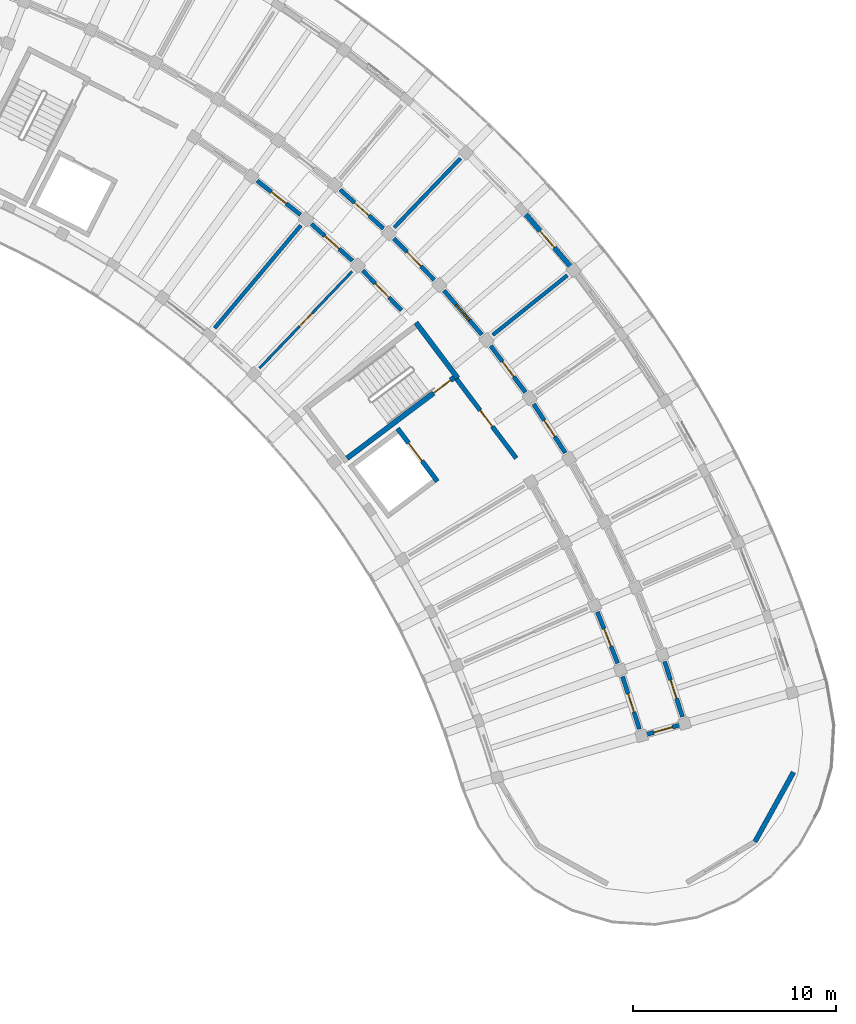
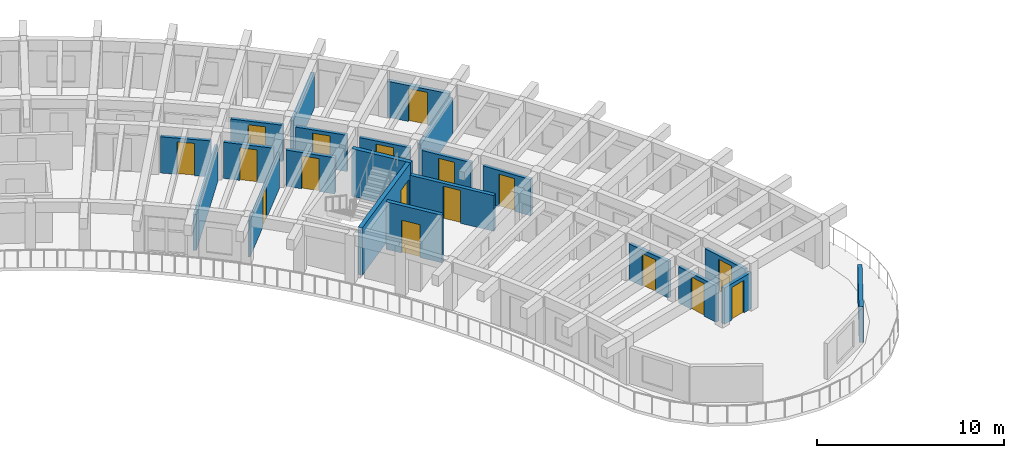
# One storey, part 56 of 81: 22 walls, 17 doors, 17 openings.
"""IFC4 building model written with IfcOpenShell, lengths in metres."""

from ifc_helpers import new_model, si_unit, direction, frame, frame_2d, origin, place, context, subcontext, project, spatial, rectangle, extrude, material, layer, layer_set, type_object, element, fill, save


model = new_model("IFC4")

# Units and contexts
model_context = context("Model", 3, precision=1e-05, world=origin(), true_north=direction((0.0, 1.0)))
body_context = subcontext(model_context, "Body", "Model", "MODEL_VIEW")
ifc_project = project(units=[si_unit("LENGTHUNIT", "METRE"), si_unit("AREAUNIT", "SQUARE_METRE"), si_unit("VOLUMEUNIT", "CUBIC_METRE"), si_unit("PLANEANGLEUNIT", "RADIAN"), si_unit("MASSUNIT", "GRAM", prefix="KILO")], contexts=[model_context])

# Site, building, storey
site_placement = place(None, origin())
site = spatial("IfcSite", under=ifc_project, at=site_placement, CompositionType="ELEMENT")
building_placement = place(site_placement, origin())
building = spatial("IfcBuilding", under=site, at=building_placement, Name="Tanwirah Colonnade Gardens", CompositionType="ELEMENT")
storey_placement = place(building_placement, frame((0.0, 0.0, 18.919921875)))
storey = spatial("IfcBuildingStorey", under=building, at=storey_placement, Name="L05", CompositionType="ELEMENT", Elevation=18.919921875)

# Wall, opening, door
ifc_material_1 = material(Name="Limestone architectural precast concrete C40/50", Category="masonry")
ifc_layer_1 = layer(ifc_material_1, 0.239990234375)
ifc_layer_set_1 = layer_set([ifc_layer_1], Name="Limestone architectural precast concrete C40/50")
wall_type_1 = type_object("IfcWallType", Name="EW-PC240", PredefinedType="SOLIDWALL", material=ifc_layer_set_1)
wall_1_placement = place(storey_placement, frame((167.3369140625, 97.59228515625, 0.0), z_axis=(0.0, 0.0, 1.0), x_axis=(-0.65016298181, 0.759794773004, 0.0)))
wall_1 = element("IfcWall", 1, at=wall_1_placement, inside=storey, type_object=wall_type_1, Name="Block B L05 OUT Precast Facade Wall 6", PredefinedType="SOLIDWALL", context=body_context, shape_type="SweptSolid", body=[
    extrude(rectangle(XDim=3.520751953125, YDim=0.239990234375, at=frame_2d((1.76025390625, 0.0))), origin(), (0.0, 0.0, 1.0), 2.35498046875),
])
opening_1_placement = place(wall_1_placement, frame((1.220458984375, 0.0, 0.0)))
opening_1 = element("IfcOpeningElement", 2, at=opening_1_placement, cuts=wall_1, Name="Opening L05-ED091", PredefinedType="OPENING", context=body_context, shape_type="SweptSolid", body=[
    extrude(rectangle(XDim=1.080078125, YDim=2.14990234375, at=frame_2d((0.5400390625, 1.074951171875))), frame((0.0, 0.1298828125, 0.0), z_axis=(0.0, -1.0, 0.0), x_axis=(1.0, 0.0, 0.0)), (0.0, 0.0, 1.0), 0.260009765625),
])
ifc_material_2 = material(Name="Bronze aluminium glazed balcony door", Category="aluminium")
door_type_1 = type_object("IfcDoorType", Name="ED-BAL108", OperationType="NOTDEFINED", PredefinedType="DOOR", material=ifc_material_2)
door_1_placement = place(opening_1_placement, origin())
door_1 = element("IfcDoor", 3, at=door_1_placement, inside=storey, type_object=door_type_1, Name="Balcony glazed door L05-ED091", OperationType="SINGLE_SWING_RIGHT", OverallHeight=2.14990234375, OverallWidth=1.080078125, PredefinedType="DOOR", context=body_context, shape_type="SweptSolid", body=[
    extrude(rectangle(XDim=1.080078125, YDim=2.14990234375, at=frame_2d((0.5400390625, 1.074951171875))), frame((0.0, 0.02490234375, 0.0), z_axis=(0.0, -1.0, 0.0), x_axis=(1.0, 0.0, 0.0)), (0.0, 0.0, 1.0), 0.050048828125),
])
fill(opening_1, door_1)

# Wall
wall_2_placement = place(storey_placement, frame((178.311279296875, 72.70654296875, 0.0), z_axis=(0.0, 0.0, 1.0), x_axis=(-0.484841794757, -0.874601871743, 0.0)))
element("IfcWall", 4, at=wall_2_placement, inside=storey, type_object=wall_type_1, Name="Block B L05 START Rounded End Wall 1", PredefinedType="SOLIDWALL", context=body_context, shape_type="SweptSolid", body=[
    extrude(rectangle(XDim=3.907958984375, YDim=0.239990234375, at=frame_2d((1.9541015625, 0.0))), origin(), (0.0, 0.0, 1.0), 2.35498046875),
])

# Wall, opening, door
ifc_material_3 = material(Name="Precast concrete C40/50", Category="concrete")
ifc_layer_2 = layer(ifc_material_3, 0.205078125)
ifc_layer_set_2 = layer_set([ifc_layer_2], Name="Precast concrete C40/50")
wall_type_2 = type_object("IfcWallType", Name="IW-CORR205", PredefinedType="PARTITIONING", material=ifc_layer_set_2)
wall_3_placement = place(storey_placement, frame((172.8486328125, 75.431396484375, 0.0), z_axis=(0.0, 0.0, 1.0), x_axis=(-0.307157249761, 0.951658774939, 0.0)))
wall_3 = element("IfcWall", 5, at=wall_3_placement, inside=storey, type_object=wall_type_2, Name="Block B L05 OUT Corridor Wall 0", PredefinedType="PARTITIONING", context=body_context, shape_type="SweptSolid", body=[
    extrude(rectangle(XDim=2.863037109375, YDim=0.205078125, at=frame_2d((1.431640625, 0.0))), origin(), (0.0, 0.0, 1.0), 2.3701171875),
])
opening_2_placement = place(wall_3_placement, frame((0.95654296875, 0.0, 0.0)))
opening_2 = element("IfcOpeningElement", 6, at=opening_2_placement, cuts=wall_3, Name="Opening L05-AD1002", PredefinedType="OPENING", context=body_context, shape_type="SweptSolid", body=[
    extrude(rectangle(XDim=0.949951171875, YDim=2.1298828125, at=frame_2d((0.47509765625, 1.06494140625))), frame((0.0, 0.112548828125, 0.0), z_axis=(0.0, -1.0, 0.0), x_axis=(1.0, 0.0, 0.0)), (0.0, 0.0, 1.0), 0.22509765625),
])
ifc_material_4 = material(Name="Solid oak fire-resisting apartment entrance door")
door_type_2 = type_object("IfcDoorType", Name="ID-FLT095", OperationType="NOTDEFINED", PredefinedType="DOOR", material=ifc_material_4)
door_2_placement = place(opening_2_placement, origin())
door_2 = element("IfcDoor", 7, at=door_2_placement, inside=storey, type_object=door_type_2, Name="Apartment corridor door L05-AD1002", OperationType="SINGLE_SWING_RIGHT", OverallHeight=2.1298828125, OverallWidth=0.949951171875, PredefinedType="DOOR", context=body_context, shape_type="SweptSolid", body=[
    extrude(rectangle(XDim=0.949951171875, YDim=2.1298828125, at=frame_2d((0.47509765625, 1.06494140625))), frame((0.0, 0.02490234375, 0.0), z_axis=(0.0, -1.0, 0.0), x_axis=(1.0, 0.0, 0.0)), (0.0, 0.0, 1.0), 0.050048828125),
])
fill(opening_2, door_2)

wall_4_placement = place(storey_placement, frame((170.73388671875, 74.824951171875, 0.0), z_axis=(0.0, 0.0, 1.0), x_axis=(-0.307186478934, 0.95164934044, 0.0)))
wall_4 = element("IfcWall", 8, at=wall_4_placement, inside=storey, type_object=wall_type_2, Name="Block B L05 IN Corridor Wall 0", PredefinedType="PARTITIONING", context=body_context, shape_type="SweptSolid", body=[
    extrude(rectangle(XDim=2.718017578125, YDim=0.205078125, at=frame_2d((1.35888671875, 0.0))), origin(), (0.0, 0.0, 1.0), 2.3701171875),
])
opening_3_placement = place(wall_4_placement, frame((0.884033203125, 0.0, 0.0)))
opening_3 = element("IfcOpeningElement", 9, at=opening_3_placement, cuts=wall_4, Name="Opening L05-AD1003", PredefinedType="OPENING", context=body_context, shape_type="SweptSolid", body=[
    extrude(rectangle(XDim=0.949951171875, YDim=2.1298828125, at=frame_2d((0.47509765625, 1.06494140625))), frame((0.0, 0.112548828125, 0.0), z_axis=(0.0, -1.0, 0.0), x_axis=(1.0, 0.0, 0.0)), (0.0, 0.0, 1.0), 0.22509765625),
])
door_3_placement = place(opening_3_placement, origin())
door_3 = element("IfcDoor", 10, at=door_3_placement, inside=storey, type_object=door_type_2, Name="Apartment corridor door L05-AD1003", OperationType="SINGLE_SWING_LEFT", OverallHeight=2.1298828125, OverallWidth=0.949951171875, PredefinedType="DOOR", context=body_context, shape_type="SweptSolid", body=[
    extrude(rectangle(XDim=0.949951171875, YDim=2.1298828125, at=frame_2d((0.47509765625, 1.06494140625))), frame((0.0, 0.02490234375, 0.0), z_axis=(0.0, -1.0, 0.0), x_axis=(1.0, 0.0, 0.0)), (0.0, 0.0, 1.0), 0.050048828125),
])
fill(opening_3, door_3)

wall_5_placement = place(storey_placement, frame((169.662353515625, 78.06982421875, 0.0), z_axis=(0.0, 0.0, 1.0), x_axis=(-0.369237170461, 0.929335198919, 0.0)))
wall_5 = element("IfcWall", 11, at=wall_5_placement, inside=storey, type_object=wall_type_2, Name="Block B L05 IN Corridor Wall 1", PredefinedType="PARTITIONING", context=body_context, shape_type="SweptSolid", body=[
    extrude(rectangle(XDim=2.71826171875, YDim=0.205078125, at=frame_2d((1.359130859375, 0.0))), origin(), (0.0, 0.0, 1.0), 2.3701171875),
])
opening_4_placement = place(wall_5_placement, frame((0.89404296875, 0.0, 0.0)))
opening_4 = element("IfcOpeningElement", 12, at=opening_4_placement, cuts=wall_5, Name="Opening L05-AD1005", PredefinedType="OPENING", context=body_context, shape_type="SweptSolid", body=[
    extrude(rectangle(XDim=0.929931640625, YDim=2.1201171875, at=frame_2d((0.46484375, 1.06005859375))), frame((0.0, 0.112548828125, 0.0), z_axis=(0.0, -1.0, 0.0), x_axis=(1.0, 0.0, 0.0)), (0.0, 0.0, 1.0), 0.22509765625),
])
door_type_3 = type_object("IfcDoorType", Name="ID-FLT093", OperationType="NOTDEFINED", PredefinedType="DOOR", material=ifc_material_4)
door_4_placement = place(opening_4_placement, origin())
door_4 = element("IfcDoor", 13, at=door_4_placement, inside=storey, type_object=door_type_3, Name="Apartment corridor door L05-AD1005", OperationType="SINGLE_SWING_RIGHT", OverallHeight=2.1201171875, OverallWidth=0.929931640625, PredefinedType="DOOR", context=body_context, shape_type="SweptSolid", body=[
    extrude(rectangle(XDim=0.929931640625, YDim=2.1201171875, at=frame_2d((0.46484375, 1.06005859375))), frame((0.0, 0.02490234375, 0.0), z_axis=(0.0, -1.0, 0.0), x_axis=(1.0, 0.0, 0.0)), (0.0, 0.0, 1.0), 0.050048828125),
])
fill(opening_4, door_4)

wall_6_placement = place(storey_placement, frame((167.085205078125, 88.421142578125, 0.0), z_axis=(0.0, 0.0, 1.0), x_axis=(-0.544643612649, 0.838667595178, 0.0)))
wall_6 = element("IfcWall", 14, at=wall_6_placement, inside=storey, type_object=wall_type_2, Name="Block B L05 OUT Corridor Wall 4", PredefinedType="PARTITIONING", context=body_context, shape_type="SweptSolid", body=[
    extrude(rectangle(XDim=2.863037109375, YDim=0.205078125, at=frame_2d((1.431640625, 0.0))), origin(), (0.0, 0.0, 1.0), 2.3701171875),
])
opening_5_placement = place(wall_6_placement, frame((0.95654296875, 0.0, 0.0)))
opening_5 = element("IfcOpeningElement", 15, at=opening_5_placement, cuts=wall_6, Name="Opening L05-AD1013", PredefinedType="OPENING", context=body_context, shape_type="SweptSolid", body=[
    extrude(rectangle(XDim=0.949951171875, YDim=2.1298828125, at=frame_2d((0.47509765625, 1.06494140625))), frame((0.0, 0.112548828125, 0.0), z_axis=(0.0, -1.0, 0.0), x_axis=(1.0, 0.0, 0.0)), (0.0, 0.0, 1.0), 0.22509765625),
])
door_5_placement = place(opening_5_placement, origin())
door_5 = element("IfcDoor", 16, at=door_5_placement, inside=storey, type_object=door_type_2, Name="Apartment corridor door L05-AD1013", OperationType="SINGLE_SWING_RIGHT", OverallHeight=2.1298828125, OverallWidth=0.949951171875, PredefinedType="DOOR", context=body_context, shape_type="SweptSolid", body=[
    extrude(rectangle(XDim=0.949951171875, YDim=2.1298828125, at=frame_2d((0.47509765625, 1.06494140625))), frame((0.0, 0.02490234375, 0.0), z_axis=(0.0, -1.0, 0.0), x_axis=(1.0, 0.0, 0.0)), (0.0, 0.0, 1.0), 0.050048828125),
])
fill(opening_5, door_5)

wall_7_placement = place(storey_placement, frame((165.125732421875, 91.396240234375, 0.0), z_axis=(0.0, 0.0, 1.0), x_axis=(-0.598757763243, 0.800930172335, 0.0)))
wall_7 = element("IfcWall", 17, at=wall_7_placement, inside=storey, type_object=wall_type_2, Name="Block B L05 OUT Corridor Wall 5", PredefinedType="PARTITIONING", context=body_context, shape_type="SweptSolid", body=[
    extrude(rectangle(XDim=2.86328125, YDim=0.205078125, at=frame_2d((1.431640625, 0.0))), origin(), (0.0, 0.0, 1.0), 2.3701171875),
])
opening_6_placement = place(wall_7_placement, frame((0.966552734375, 0.0, 0.0)))
opening_6 = element("IfcOpeningElement", 18, at=opening_6_placement, cuts=wall_7, Name="Opening L05-AD1015", PredefinedType="OPENING", context=body_context, shape_type="SweptSolid", body=[
    extrude(rectangle(XDim=0.929931640625, YDim=2.1201171875, at=frame_2d((0.46484375, 1.06005859375))), frame((0.0, 0.112548828125, 0.0), z_axis=(0.0, -1.0, 0.0), x_axis=(1.0, 0.0, 0.0)), (0.0, 0.0, 1.0), 0.22509765625),
])
door_6_placement = place(opening_6_placement, origin())
door_6 = element("IfcDoor", 19, at=door_6_placement, inside=storey, type_object=door_type_3, Name="Apartment corridor door L05-AD1015", OperationType="SINGLE_SWING_LEFT", OverallHeight=2.1201171875, OverallWidth=0.929931640625, PredefinedType="DOOR", context=body_context, shape_type="SweptSolid", body=[
    extrude(rectangle(XDim=0.929931640625, YDim=2.1201171875, at=frame_2d((0.46484375, 1.06005859375))), frame((0.0, 0.02490234375, 0.0), z_axis=(0.0, -1.0, 0.0), x_axis=(1.0, 0.0, 0.0)), (0.0, 0.0, 1.0), 0.050048828125),
])
fill(opening_6, door_6)

wall_8_placement = place(storey_placement, frame((162.974365234375, 94.23583984375, 0.0), z_axis=(0.0, 0.0, 1.0), x_axis=(-0.650194272684, 0.759767996015, 0.0)))
wall_8 = element("IfcWall", 20, at=wall_8_placement, inside=storey, type_object=wall_type_2, Name="Block B L05 OUT Corridor Wall 6", PredefinedType="PARTITIONING", context=body_context, shape_type="SweptSolid", body=[
    extrude(rectangle(XDim=2.863037109375, YDim=0.205078125, at=frame_2d((1.431640625, 0.0))), origin(), (0.0, 0.0, 1.0), 2.3701171875),
])
opening_7_placement = place(wall_8_placement, frame((0.9365234375, 0.0, 0.0)))
opening_7 = element("IfcOpeningElement", 21, at=opening_7_placement, cuts=wall_8, Name="Opening L05-AD1016", PredefinedType="OPENING", context=body_context, shape_type="SweptSolid", body=[
    extrude(rectangle(XDim=0.989990234375, YDim=2.159912109375, at=frame_2d((0.4951171875, 1.080078125))), frame((0.0, 0.112548828125, 0.0), z_axis=(0.0, -1.0, 0.0), x_axis=(1.0, 0.0, 0.0)), (0.0, 0.0, 1.0), 0.22509765625),
])
door_type_4 = type_object("IfcDoorType", Name="ID-FLT099", OperationType="NOTDEFINED", PredefinedType="DOOR", material=ifc_material_4)
door_7_placement = place(opening_7_placement, origin())
door_7 = element("IfcDoor", 22, at=door_7_placement, inside=storey, type_object=door_type_4, Name="Apartment corridor door L05-AD1016", OperationType="SINGLE_SWING_RIGHT", OverallHeight=2.159912109375, OverallWidth=0.989990234375, PredefinedType="DOOR", context=body_context, shape_type="SweptSolid", body=[
    extrude(rectangle(XDim=0.989990234375, YDim=2.159912109375, at=frame_2d((0.4951171875, 1.080078125))), frame((0.0, 0.02490234375, 0.0), z_axis=(0.0, -1.0, 0.0), x_axis=(1.0, 0.0, 0.0)), (0.0, 0.0, 1.0), 0.050048828125),
])
fill(opening_7, door_7)

wall_9_placement = place(storey_placement, frame((160.640625, 96.92724609375, 0.0), z_axis=(0.0, 0.0, 1.0), x_axis=(-0.698787219683, 0.715329589496, 0.0)))
wall_9 = element("IfcWall", 23, at=wall_9_placement, inside=storey, type_object=wall_type_2, Name="Block B L05 OUT Corridor Wall 7", PredefinedType="PARTITIONING", context=body_context, shape_type="SweptSolid", body=[
    extrude(rectangle(XDim=2.863037109375, YDim=0.205078125, at=frame_2d((1.431640625, 0.0))), origin(), (0.0, 0.0, 1.0), 2.3701171875),
])
opening_8_placement = place(wall_9_placement, frame((0.946533203125, 0.0, 0.0)))
opening_8 = element("IfcOpeningElement", 24, at=opening_8_placement, cuts=wall_9, Name="Opening L05-AD1017", PredefinedType="OPENING", context=body_context, shape_type="SweptSolid", body=[
    extrude(rectangle(XDim=0.969970703125, YDim=2.14990234375, at=frame_2d((0.48486328125, 1.074951171875))), frame((0.0, 0.112548828125, 0.0), z_axis=(0.0, -1.0, 0.0), x_axis=(1.0, 0.0, 0.0)), (0.0, 0.0, 1.0), 0.22509765625),
])
door_type_5 = type_object("IfcDoorType", Name="ID-FLT097", OperationType="NOTDEFINED", PredefinedType="DOOR", material=ifc_material_4)
door_8_placement = place(opening_8_placement, origin())
door_8 = element("IfcDoor", 25, at=door_8_placement, inside=storey, type_object=door_type_5, Name="Apartment corridor door L05-AD1017", OperationType="SINGLE_SWING_LEFT", OverallHeight=2.14990234375, OverallWidth=0.969970703125, PredefinedType="DOOR", context=body_context, shape_type="SweptSolid", body=[
    extrude(rectangle(XDim=0.969970703125, YDim=2.14990234375, at=frame_2d((0.48486328125, 1.074951171875))), frame((0.0, 0.02490234375, 0.0), z_axis=(0.0, -1.0, 0.0), x_axis=(1.0, 0.0, 0.0)), (0.0, 0.0, 1.0), 0.050048828125),
])
fill(opening_8, door_8)

wall_10_placement = place(storey_placement, frame((159.01708984375, 95.442626953125, 0.0), z_axis=(0.0, 0.0, 1.0), x_axis=(-0.698840007829, 0.715278018296, 0.0)))
wall_10 = element("IfcWall", 26, at=wall_10_placement, inside=storey, type_object=wall_type_2, Name="Block B L05 IN Corridor Wall 7", PredefinedType="PARTITIONING", context=body_context, shape_type="SweptSolid", body=[
    extrude(rectangle(XDim=2.718017578125, YDim=0.205078125, at=frame_2d((1.35888671875, 0.0))), origin(), (0.0, 0.0, 1.0), 2.3701171875),
])
opening_9_placement = place(wall_10_placement, frame((0.8740234375, 0.0, 0.0)))
opening_9 = element("IfcOpeningElement", 27, at=opening_9_placement, cuts=wall_10, Name="Opening L05-AD1018", PredefinedType="OPENING", context=body_context, shape_type="SweptSolid", body=[
    extrude(rectangle(XDim=0.969970703125, YDim=2.14990234375, at=frame_2d((0.48486328125, 1.074951171875))), frame((0.0, 0.112548828125, 0.0), z_axis=(0.0, -1.0, 0.0), x_axis=(1.0, 0.0, 0.0)), (0.0, 0.0, 1.0), 0.22509765625),
])
door_9_placement = place(opening_9_placement, origin())
door_9 = element("IfcDoor", 28, at=door_9_placement, inside=storey, type_object=door_type_5, Name="Apartment corridor door L05-AD1018", OperationType="SINGLE_SWING_RIGHT", OverallHeight=2.14990234375, OverallWidth=0.969970703125, PredefinedType="DOOR", context=body_context, shape_type="SweptSolid", body=[
    extrude(rectangle(XDim=0.969970703125, YDim=2.14990234375, at=frame_2d((0.48486328125, 1.074951171875))), frame((0.0, 0.02490234375, 0.0), z_axis=(0.0, -1.0, 0.0), x_axis=(1.0, 0.0, 0.0)), (0.0, 0.0, 1.0), 0.050048828125),
])
fill(opening_9, door_9)

wall_11_placement = place(storey_placement, frame((158.134765625, 99.459228515625, 0.0), z_axis=(0.0, 0.0, 1.0), x_axis=(-0.744433521088, 0.667696587291, 0.0)))
wall_11 = element("IfcWall", 29, at=wall_11_placement, inside=storey, type_object=wall_type_2, Name="Block B L05 OUT Corridor Wall 8", PredefinedType="PARTITIONING", context=body_context, shape_type="SweptSolid", body=[
    extrude(rectangle(XDim=2.86328125, YDim=0.205078125, at=frame_2d((1.431640625, 0.0))), origin(), (0.0, 0.0, 1.0), 2.3701171875),
])
opening_10_placement = place(wall_11_placement, frame((0.95654296875, 0.0, 0.0)))
opening_10 = element("IfcOpeningElement", 30, at=opening_10_placement, cuts=wall_11, Name="Opening L05-AD1020", PredefinedType="OPENING", context=body_context, shape_type="SweptSolid", body=[
    extrude(rectangle(XDim=0.949951171875, YDim=2.1298828125, at=frame_2d((0.47509765625, 1.06494140625))), frame((0.0, 0.112548828125, 0.0), z_axis=(0.0, -1.0, 0.0), x_axis=(1.0, 0.0, 0.0)), (0.0, 0.0, 1.0), 0.22509765625),
])
door_10_placement = place(opening_10_placement, origin())
door_10 = element("IfcDoor", 31, at=door_10_placement, inside=storey, type_object=door_type_2, Name="Apartment corridor door L05-AD1020", OperationType="SINGLE_SWING_RIGHT", OverallHeight=2.1298828125, OverallWidth=0.949951171875, PredefinedType="DOOR", context=body_context, shape_type="SweptSolid", body=[
    extrude(rectangle(XDim=0.949951171875, YDim=2.1298828125, at=frame_2d((0.47509765625, 1.06494140625))), frame((0.0, 0.02490234375, 0.0), z_axis=(0.0, -1.0, 0.0), x_axis=(1.0, 0.0, 0.0)), (0.0, 0.0, 1.0), 0.050048828125),
])
fill(opening_10, door_10)

wall_12_placement = place(storey_placement, frame((156.612548828125, 97.870849609375, 0.0), z_axis=(0.0, 0.0, 1.0), x_axis=(-0.744418559135, 0.667713268413, 0.0)))
wall_12 = element("IfcWall", 32, at=wall_12_placement, inside=storey, type_object=wall_type_2, Name="Block B L05 IN Corridor Wall 8", PredefinedType="PARTITIONING", context=body_context, shape_type="SweptSolid", body=[
    extrude(rectangle(XDim=2.71826171875, YDim=0.205078125, at=frame_2d((1.359130859375, 0.0))), origin(), (0.0, 0.0, 1.0), 2.3701171875),
])
opening_11_placement = place(wall_12_placement, frame((0.884033203125, 0.0, 0.0)))
opening_11 = element("IfcOpeningElement", 33, at=opening_11_placement, cuts=wall_12, Name="Opening L05-AD1021", PredefinedType="OPENING", context=body_context, shape_type="SweptSolid", body=[
    extrude(rectangle(XDim=0.949951171875, YDim=2.1298828125, at=frame_2d((0.47509765625, 1.06494140625))), frame((0.0, 0.112548828125, 0.0), z_axis=(0.0, -1.0, 0.0), x_axis=(1.0, 0.0, 0.0)), (0.0, 0.0, 1.0), 0.22509765625),
])
door_11_placement = place(opening_11_placement, origin())
door_11 = element("IfcDoor", 34, at=door_11_placement, inside=storey, type_object=door_type_2, Name="Apartment corridor door L05-AD1021", OperationType="SINGLE_SWING_LEFT", OverallHeight=2.1298828125, OverallWidth=0.949951171875, PredefinedType="DOOR", context=body_context, shape_type="SweptSolid", body=[
    extrude(rectangle(XDim=0.949951171875, YDim=2.1298828125, at=frame_2d((0.47509765625, 1.06494140625))), frame((0.0, 0.02490234375, 0.0), z_axis=(0.0, -1.0, 0.0), x_axis=(1.0, 0.0, 0.0)), (0.0, 0.0, 1.0), 0.050048828125),
])
fill(opening_11, door_11)

wall_13_placement = place(storey_placement, frame((154.05322265625, 100.135498046875, 0.0), z_axis=(0.0, 0.0, 1.0), x_axis=(-0.786835457019, 0.617162833924, 0.0)))
wall_13 = element("IfcWall", 35, at=wall_13_placement, inside=storey, type_object=wall_type_2, Name="Block B L05 IN Corridor Wall 9", PredefinedType="PARTITIONING", context=body_context, shape_type="SweptSolid", body=[
    extrude(rectangle(XDim=2.718017578125, YDim=0.205078125, at=frame_2d((1.35888671875, 0.0))), origin(), (0.0, 0.0, 1.0), 2.3701171875),
])
opening_12_placement = place(wall_13_placement, frame((0.89404296875, 0.0, 0.0)))
opening_12 = element("IfcOpeningElement", 36, at=opening_12_placement, cuts=wall_13, Name="Opening L05-AD1024", PredefinedType="OPENING", context=body_context, shape_type="SweptSolid", body=[
    extrude(rectangle(XDim=0.929931640625, YDim=2.1201171875, at=frame_2d((0.46484375, 1.06005859375))), frame((0.0, 0.112548828125, 0.0), z_axis=(0.0, -1.0, 0.0), x_axis=(1.0, 0.0, 0.0)), (0.0, 0.0, 1.0), 0.22509765625),
])
door_12_placement = place(opening_12_placement, origin())
door_12 = element("IfcDoor", 37, at=door_12_placement, inside=storey, type_object=door_type_3, Name="Apartment corridor door L05-AD1024", OperationType="SINGLE_SWING_RIGHT", OverallHeight=2.1201171875, OverallWidth=0.929931640625, PredefinedType="DOOR", context=body_context, shape_type="SweptSolid", body=[
    extrude(rectangle(XDim=0.929931640625, YDim=2.1201171875, at=frame_2d((0.46484375, 1.06005859375))), frame((0.0, 0.02490234375, 0.0), z_axis=(0.0, -1.0, 0.0), x_axis=(1.0, 0.0, 0.0)), (0.0, 0.0, 1.0), 0.050048828125),
])
fill(opening_12, door_12)

wall_14_placement = place(storey_placement, frame((170.889404296875, 74.505615234375, 0.0), z_axis=(0.0, 0.0, 1.0), x_axis=(0.961264701934, 0.275626872449, 0.0)))
wall_14 = element("IfcWall", 38, at=wall_14_placement, inside=storey, type_object=wall_type_2, Name="Block B L05 CS Corner Suite Corridor Wall", PredefinedType="PARTITIONING", context=body_context, shape_type="SweptSolid", body=[
    extrude(rectangle(XDim=2.10009765625, YDim=0.205078125, at=frame_2d((1.050048828125, 0.0))), origin(), (0.0, 0.0, 1.0), 2.3701171875),
])
opening_13_placement = place(wall_14_placement, frame((0.570068359375, 0.0, 0.0)))
opening_13 = element("IfcOpeningElement", 39, at=opening_13_placement, cuts=wall_14, Name="Opening L05-CD1041", PredefinedType="OPENING", context=body_context, shape_type="SweptSolid", body=[
    extrude(rectangle(XDim=0.949951171875, YDim=2.1298828125, at=frame_2d((0.47509765625, 1.06494140625))), frame((0.0, 0.112548828125, 0.0), z_axis=(0.0, -1.0, 0.0), x_axis=(1.0, 0.0, 0.0)), (0.0, 0.0, 1.0), 0.22509765625),
])
door_13_placement = place(opening_13_placement, origin())
door_13 = element("IfcDoor", 40, at=door_13_placement, inside=storey, type_object=door_type_2, Name="Corner suite entrance door L05-CD1041", OperationType="SINGLE_SWING_LEFT", OverallHeight=2.1298828125, OverallWidth=0.949951171875, PredefinedType="DOOR", context=body_context, shape_type="SweptSolid", body=[
    extrude(rectangle(XDim=0.949951171875, YDim=2.1298828125, at=frame_2d((0.47509765625, 1.06494140625))), frame((0.0, 0.02490234375, 0.0), z_axis=(0.0, -1.0, 0.0), x_axis=(1.0, 0.0, 0.0)), (0.0, 0.0, 1.0), 0.050048828125),
])
fill(opening_13, door_13)

# Walls
ifc_layer_3 = layer(ifc_material_3, 0.18505859375)
ifc_layer_set_3 = layer_set([ifc_layer_3], Name="Precast concrete C40/50")
wall_type_3 = type_object("IfcWallType", Name="IW-DEM185", PredefinedType="PARTITIONING", material=ifc_layer_set_3)
wall_15_placement = place(storey_placement, frame((163.51416015625, 94.2197265625, 0.0), z_axis=(0.0, 0.0, 1.0), x_axis=(0.780807994362, 0.624771058821, 0.0)))
element("IfcWall", 41, at=wall_15_placement, inside=storey, type_object=wall_type_3, Name="Block B L05 Radial Partition 5", PredefinedType="PARTITIONING", context=body_context, shape_type="SweptSolid", body=[
    extrude(rectangle(XDim=4.7001953125, YDim=0.18505859375, at=frame_2d((2.35009765625, 0.0))), origin(), (0.0, 0.0, 1.0), 2.3701171875),
])
wall_16_placement = place(storey_placement, frame((158.671875, 99.514404296875, 0.0), z_axis=(0.0, 0.0, 1.0), x_axis=(0.691855720025, 0.722035776585, 0.0)))
element("IfcWall", 42, at=wall_16_placement, inside=storey, type_object=wall_type_3, Name="Block B L05 Radial Partition 7", PredefinedType="PARTITIONING", context=body_context, shape_type="SweptSolid", body=[
    extrude(rectangle(XDim=4.699951171875, YDim=0.18505859375, at=frame_2d((2.35009765625, 0.0))), origin(), (0.0, 0.0, 1.0), 2.3701171875),
])
wall_17_placement = place(storey_placement, frame((149.8291015625, 94.55712890625, 0.0), z_axis=(0.0, 0.0, 1.0), x_axis=(0.642789470807, 0.766042881449, 0.0)))
element("IfcWall", 43, at=wall_17_placement, inside=storey, type_object=wall_type_3, Name="Block B L05 Inner Radial Partition 8", PredefinedType="PARTITIONING", context=body_context, shape_type="SweptSolid", body=[
    extrude(rectangle(XDim=6.60009765625, YDim=0.18505859375, at=frame_2d((3.300048828125, 0.0))), origin(), (0.0, 0.0, 1.0), 2.3701171875),
])

# Wall, opening, door
ifc_material_5 = material(Name="Autoclaved aerated masonry blockwork", Category="masonry")
ifc_layer_4 = layer(ifc_material_5, 0.219970703125)
ifc_layer_set_4 = layer_set([ifc_layer_4], Name="Autoclaved aerated masonry blockwork")
wall_type_4 = type_object("IfcWallType", Name="IW-FFL220", PredefinedType="PARTITIONING", material=ifc_layer_set_4)
wall_18_placement = place(storey_placement, frame((161.7177734375, 92.072509765625, 0.0), z_axis=(0.0, 0.0, 1.0), x_axis=(0.601792209296, -0.79865270101, 0.0)))
wall_18 = element("IfcWall", 44, at=wall_18_placement, inside=storey, type_object=wall_type_4, Name="CORE-B1 L05 Enclosed Lobby Fire Wall", PredefinedType="PARTITIONING", context=body_context, shape_type="SweptSolid", body=[
    extrude(rectangle(XDim=4.89990234375, YDim=0.219970703125, at=frame_2d((2.449951171875, 0.0))), origin(), (0.0, 0.0, 1.0), 2.340087890625),
])
opening_14_placement = place(wall_18_placement, frame((1.949951171875, 0.0, 0.0)))
opening_14 = element("IfcOpeningElement", 45, at=opening_14_placement, cuts=wall_18, Name="Opening L05-LD085", PredefinedType="OPENING", context=body_context, shape_type="SweptSolid", body=[
    extrude(rectangle(XDim=1.0, YDim=2.14990234375, at=frame_2d((0.5, 1.074951171875))), frame((0.0, 0.119873046875, 0.0), z_axis=(0.0, -1.0, 0.0), x_axis=(1.0, 0.0, 0.0)), (0.0, 0.0, 1.0), 0.239990234375),
])
ifc_material_6 = material(Name="Acoustic fire-resisting lobby door")
door_type_6 = type_object("IfcDoorType", Name="ID-FFL100", OperationType="NOTDEFINED", PredefinedType="DOOR", material=ifc_material_6)
door_14_placement = place(opening_14_placement, origin())
door_14 = element("IfcDoor", 46, at=door_14_placement, inside=storey, type_object=door_type_6, Name="CORE-B1 L05 Lobby Fire Door L05-LD085", OperationType="SINGLE_SWING_RIGHT", OverallHeight=2.14990234375, OverallWidth=1.0, PredefinedType="DOOR", context=body_context, shape_type="SweptSolid", body=[
    extrude(rectangle(XDim=1.0, YDim=2.14990234375, at=frame_2d((0.5, 1.074951171875))), frame((0.0, 0.02490234375, 0.0), z_axis=(0.0, -1.0, 0.0), x_axis=(1.0, 0.0, 0.0)), (0.0, 0.0, 1.0), 0.050048828125),
])
fill(opening_14, door_14)

ifc_material_7 = material(Name="Moisture-resistant gypsum stud partition")
ifc_layer_5 = layer(ifc_material_7, 0.125)
ifc_layer_set_5 = layer_set([ifc_layer_5], Name="Moisture-resistant gypsum stud partition")
wall_type_5 = type_object("IfcWallType", Name="IW-INT125", PredefinedType="PARTITIONING", material=ifc_layer_set_5)
wall_19_placement = place(storey_placement, frame((152.030029296875, 92.5830078125, 0.0), z_axis=(0.0, 0.0, 1.0), x_axis=(0.691872422458, 0.722019771919, 0.0)))
wall_19 = element("IfcWall", 47, at=wall_19_placement, inside=storey, type_object=wall_type_5, Name="Block B L05 Inner Radial Partition 7", PredefinedType="PARTITIONING", context=body_context, shape_type="SweptSolid", body=[
    extrude(rectangle(XDim=6.60009765625, YDim=0.125, at=frame_2d((3.300048828125, 0.0))), origin(), (0.0, 0.0, 1.0), 2.3701171875),
])
opening_15_placement = place(wall_19_placement, frame((2.85498046875, 0.0, 0.0)))
opening_15 = element("IfcOpeningElement", 48, at=opening_15_placement, cuts=wall_19, Name="Opening L05-RD1019", PredefinedType="OPENING", context=body_context, shape_type="SweptSolid", body=[
    extrude(rectangle(XDim=0.889892578125, YDim=2.10009765625, at=frame_2d((0.44482421875, 1.050048828125))), frame((0.0, 0.072509765625, 0.0), z_axis=(0.0, -1.0, 0.0), x_axis=(1.0, 0.0, 0.0)), (0.0, 0.0, 1.0), 0.14501953125),
])
ifc_material_8 = material(Name="Painted hardwood bedroom door", Category="wood")
door_type_7 = type_object("IfcDoorType", Name="ID-RM089", OperationType="NOTDEFINED", PredefinedType="DOOR", material=ifc_material_8)
door_15_placement = place(opening_15_placement, origin())
door_15 = element("IfcDoor", 49, at=door_15_placement, inside=storey, type_object=door_type_7, Name="Internal apartment door L05-RD1019", OperationType="SINGLE_SWING_RIGHT", OverallHeight=2.10009765625, OverallWidth=0.889892578125, PredefinedType="DOOR", context=body_context, shape_type="SweptSolid", body=[
    extrude(rectangle(XDim=0.889892578125, YDim=2.10009765625, at=frame_2d((0.44482421875, 1.050048828125))), frame((0.0, 0.02490234375, 0.0), z_axis=(0.0, -1.0, 0.0), x_axis=(1.0, 0.0, 0.0)), (0.0, 0.0, 1.0), 0.050048828125),
])
fill(opening_15, door_15)

# Wall
ifc_material_9 = material(Name="Concrete C45/55", Category="concrete")
ifc_layer_6 = layer(ifc_material_9, 0.25)
ifc_layer_set_6 = layer_set([ifc_layer_6], Name="Concrete C45/55")
wall_type_6 = type_object("IfcWallType", Name="SW-CORE250", PredefinedType="SHEAR", material=ifc_layer_set_6)
wall_20_placement = place(storey_placement, frame((159.7314453125, 94.8330078125, 0.0), z_axis=(0.0, 0.0, 1.0), x_axis=(0.601814606132, -0.798635824294, 0.0)))
element("IfcWall", 50, at=wall_20_placement, inside=storey, type_object=wall_type_6, Name="CORE-B1 L05 Stair Shaft Shear Wall NEAR", PredefinedType="SHEAR", context=body_context, shape_type="SweptSolid", body=[
    extrude(rectangle(XDim=3.419921875, YDim=0.25, at=frame_2d((1.7099609375, 0.0))), origin(), (0.0, 0.0, 1.0), 3.110107421875),
])

# Wall, opening, door
wall_21_placement = place(storey_placement, frame((161.614501953125, 92.126220703125, 0.0), z_axis=(0.0, 0.0, 1.0), x_axis=(-0.798639633744, -0.601809550782, 0.0)))
wall_21 = element("IfcWall", 51, at=wall_21_placement, inside=storey, type_object=wall_type_6, Name="CORE-B1 L05 Stair Shaft Shear Wall RIGHT", PredefinedType="SHEAR", context=body_context, shape_type="SweptSolid", body=[
    extrude(rectangle(XDim=6.599853515625, YDim=0.25, at=frame_2d((3.2998046875, 0.0))), origin(), (0.0, 0.0, 1.0), 3.110107421875),
])
opening_16_placement = place(wall_21_placement, frame((0.219970703125, 0.0, 0.0)))
opening_16 = element("IfcOpeningElement", 52, at=opening_16_placement, cuts=wall_21, Name="Opening L05-SD071", PredefinedType="OPENING", context=body_context, shape_type="SweptSolid", body=[
    extrude(rectangle(XDim=1.050048828125, YDim=2.14990234375, at=frame_2d((0.52490234375, 1.074951171875))), frame((0.0, 0.135009765625, 0.0), z_axis=(0.0, -1.0, 0.0), x_axis=(1.0, 0.0, 0.0)), (0.0, 0.0, 1.0), 0.27001953125),
])
ifc_material_10 = material(Name="Steel fire-resisting stair enclosure door", Category="steel")
door_type_8 = type_object("IfcDoorType", Name="ID-ST105", OperationType="NOTDEFINED", PredefinedType="DOOR", material=ifc_material_10)
door_16_placement = place(opening_16_placement, origin())
door_16 = element("IfcDoor", 53, at=door_16_placement, inside=storey, type_object=door_type_8, Name="CORE-B1 L05 Stair Fire Door L05-SD071", OperationType="SINGLE_SWING_RIGHT", OverallHeight=2.14990234375, OverallWidth=1.050048828125, PredefinedType="DOOR", context=body_context, shape_type="SweptSolid", body=[
    extrude(rectangle(XDim=1.050048828125, YDim=2.14990234375, at=frame_2d((0.52490234375, 1.074951171875))), frame((0.0, 0.02490234375, 0.0), z_axis=(0.0, -1.0, 0.0), x_axis=(1.0, 0.0, 0.0)), (0.0, 0.0, 1.0), 0.050048828125),
])
fill(opening_16, door_16)

ifc_layer_7 = layer(ifc_material_9, 0.22998046875)
ifc_layer_set_7 = layer_set([ifc_layer_7], Name="Concrete C45/55")
wall_type_7 = type_object("IfcWallType", Name="SW-LIFT230", PredefinedType="SHEAR", material=ifc_layer_set_7)
wall_22_placement = place(storey_placement, frame((158.827392578125, 89.618896484375, 0.0), z_axis=(0.0, 0.0, 1.0), x_axis=(0.601819781152, -0.798631924615, 0.0)))
wall_22 = element("IfcWall", 54, at=wall_22_placement, inside=storey, type_object=wall_type_7, Name="CORE-B1 L05 Lift Shaft Wall FRONT", PredefinedType="SHEAR", context=body_context, shape_type="SweptSolid", body=[
    extrude(rectangle(XDim=3.260009765625, YDim=0.22998046875, at=frame_2d((1.6298828125, 0.0))), origin(), (0.0, 0.0, 1.0), 3.110107421875),
])
opening_17_placement = place(wall_22_placement, frame((0.89990234375, 0.0, 0.0)))
opening_17 = element("IfcOpeningElement", 55, at=opening_17_placement, cuts=wall_22, Name="Opening L05-LD-FL-B1", PredefinedType="OPENING", context=body_context, shape_type="SweptSolid", body=[
    extrude(rectangle(XDim=1.10009765625, YDim=2.14990234375, at=frame_2d((0.550048828125, 1.074951171875))), frame((0.0, 0.125, 0.0), z_axis=(0.0, -1.0, 0.0), x_axis=(1.0, 0.0, 0.0)), (0.0, 0.0, 1.0), 0.25),
])
ifc_material_11 = material(Name="Stainless steel sliding fire lift landing door", Category="steel")
door_type_9 = type_object("IfcDoorType", Name="LD-FF11", OperationType="DOUBLE_DOOR_SLIDING", PredefinedType="DOOR", material=ifc_material_11)
door_17_placement = place(opening_17_placement, origin())
door_17 = element("IfcDoor", 56, at=door_17_placement, inside=storey, type_object=door_type_9, Name="Lift FL-B1 L05 Sliding Landing Door", OperationType="DOUBLE_DOOR_SLIDING", OverallHeight=2.14990234375, OverallWidth=1.10009765625, PredefinedType="DOOR", context=body_context, shape_type="SweptSolid", body=[
    extrude(rectangle(XDim=1.10009765625, YDim=2.14990234375, at=frame_2d((0.550048828125, 1.074951171875))), frame((0.0, 0.02490234375, 0.0), z_axis=(0.0, -1.0, 0.0), x_axis=(1.0, 0.0, 0.0)), (0.0, 0.0, 1.0), 0.050048828125),
])
fill(opening_17, door_17)

save(model, "model.ifc")
